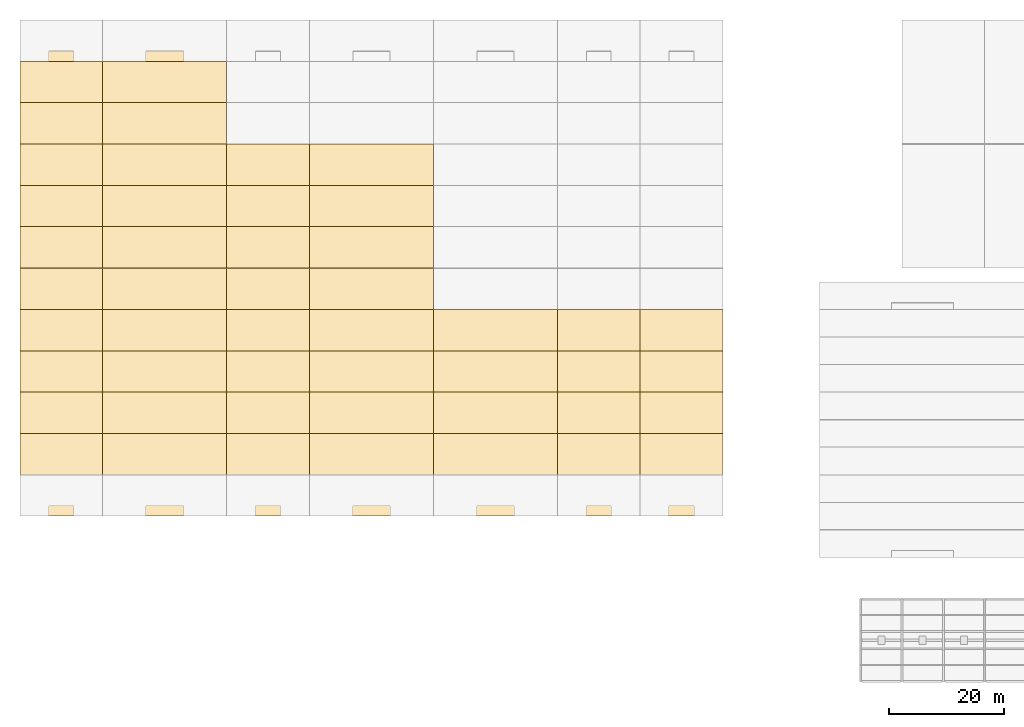
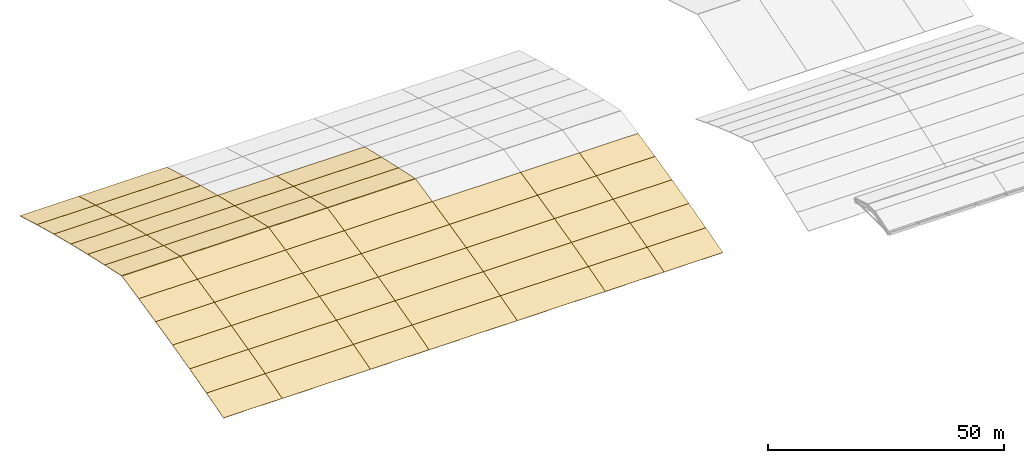
# One storey, part 5 of 7: 57 coverings, 7 elements without a shape of their own.
"""IFC4 building model written with IfcOpenShell, lengths in metres."""

from ifc_helpers import new_model, si_unit, direction, frame, origin, place, context, subcontext, project, spatial, polyline, outline, extrude, material, layer, layer_set, type_object, element, aggregate, save


model = new_model("IFC4")

# Units and contexts
model_context = context("Model", 3, precision=1e-05, world=origin(), true_north=direction((0.0, 1.0)))
body_context = subcontext(model_context, "Body", "Model", "MODEL_VIEW")
ifc_project = project(units=[si_unit("LENGTHUNIT", "METRE"), si_unit("AREAUNIT", "SQUARE_METRE"), si_unit("VOLUMEUNIT", "CUBIC_METRE"), si_unit("PLANEANGLEUNIT", "RADIAN"), si_unit("MASSUNIT", "GRAM", prefix="KILO")], contexts=[model_context])

# Site, building, storey
site_placement = place(None, origin())
site = spatial("IfcSite", under=ifc_project, at=site_placement, CompositionType="ELEMENT")
building_placement = place(site_placement, origin())
building = spatial("IfcBuilding", under=site, at=building_placement, Name="Cendralis Lancet Convention Centre", CompositionType="ELEMENT")
storey_placement = place(building_placement, frame((0.0, 0.0, 29.39990234375)))
storey = spatial("IfcBuildingStorey", under=building, at=storey_placement, Name="RF", CompositionType="ELEMENT", Elevation=29.39990234375)

# Roof, coverings
ifc_material = material(Name="Patinated standing-seam zinc roofing")
ifc_layer_1 = layer(ifc_material, 0.159912109375, Name="Patinated standing-seam zinc roofing")
ifc_layer_set_1 = layer_set([ifc_layer_1], Name="Patinated standing-seam zinc roofing")
roof_type = type_object("IfcRoofType", Name="ARC-RF-BARREL", PredefinedType="BARREL_ROOF", material=ifc_layer_set_1)
roof_1_placement = place(storey_placement, origin())
roof_1 = element("IfcRoof", 1, at=roof_1_placement, inside=storey, type_object=roof_type, Name="V1 Pointed-Arch Vault Roof Assembly #01", PredefinedType="BARREL_ROOF")
ifc_layer_2 = layer(ifc_material, 0.0400390625, Name="Patinated standing-seam zinc roofing")
ifc_layer_set_2 = layer_set([ifc_layer_2], Name="Patinated standing-seam zinc roofing")
covering_type = type_object("IfcCoveringType", Name="ARC-CV-ZINC", PredefinedType="ROOFING", material=ifc_layer_set_2)
covering_1_placement = place(storey_placement, frame((0.0, 50.39990234375, -15.1318359375), z_axis=(0.0, -0.274652229143, 0.961543630329), x_axis=(1.0, 0.0, 0.0)))
covering_1 = element("IfcCovering", 2, at=covering_1_placement, type_object=covering_type, Name="V1 Standing-Seam Zinc Vault Roofing 01-00", PredefinedType="ROOFING", context=body_context, shape_type="SweptSolid", body=[
    extrude(outline(polyline([(0.0, 0.0), (14.39990234375, 0.0), (14.39990234375, 7.488162872063306), (0.0, 7.488162872063306), (0.0, 0.0)])), origin(), (0.0, 0.0, -1.0), 0.0400390625),
])
covering_2_placement = place(storey_placement, frame((0.0, 57.60009765625, -13.076171875), z_axis=(0.0, -0.257623904458, 0.966245271063), x_axis=(1.0, 0.0, 0.0)))
covering_2 = element("IfcCovering", 3, at=covering_2_placement, type_object=covering_type, Name="V1 Standing-Seam Zinc Vault Roofing 01-01", PredefinedType="ROOFING", context=body_context, shape_type="SweptSolid", body=[
    extrude(outline(polyline([(0.0, 0.0), (14.39990234375, 0.0), (14.39990234375, 7.451473644940263), (0.0, 7.451473644940263), (0.0, 0.0)])), origin(), (0.0, 0.0, -1.0), 0.0400390625),
])
covering_3_placement = place(storey_placement, frame((0.0, 64.800048828125, -11.157470703125), z_axis=(0.0, -0.241645185965, 0.970364675831), x_axis=(1.0, 0.0, 0.0)))
covering_3 = element("IfcCovering", 4, at=covering_3_placement, type_object=covering_type, Name="V1 Standing-Seam Zinc Vault Roofing 01-02", PredefinedType="ROOFING", context=body_context, shape_type="SweptSolid", body=[
    extrude(outline(polyline([(0.0, 0.0), (14.39990234375, 0.0), (14.39990234375, 7.419840551916243), (0.0, 7.419840551916243), (0.0, 0.0)])), origin(), (0.0, 0.0, -1.0), 0.0400390625),
])
covering_4_placement = place(storey_placement, frame((0.0, 72.0, -9.364990234375), z_axis=(0.0, -0.228192789739, 0.97361596675), x_axis=(1.0, 0.0, 0.0)))
covering_4 = element("IfcCovering", 5, at=covering_4_placement, type_object=covering_type, Name="V1 Standing-Seam Zinc Vault Roofing 01-03", PredefinedType="ROOFING", context=body_context, shape_type="SweptSolid", body=[
    extrude(outline(polyline([(0.0, 0.0), (14.39990234375, 0.0), (14.39990234375, 7.395062753444637), (0.0, 7.395062753444637), (0.0, 0.0)])), origin(), (0.0, 0.0, -1.0), 0.0400390625),
])
covering_5_placement = place(storey_placement, frame((0.0, 79.199951171875, -7.67822265625), z_axis=(0.0, -0.217354480974, 0.976092736168), x_axis=(1.0, 0.0, 0.0)))
covering_5 = element("IfcCovering", 6, at=covering_5_placement, type_object=covering_type, Name="V1 Standing-Seam Zinc Vault Roofing 01-04", PredefinedType="ROOFING", context=body_context, shape_type="SweptSolid", body=[
    extrude(outline(polyline([(0.0, 0.0), (14.39990234375, 0.0), (14.39990234375, 7.376298280980387), (0.0, 7.376298280980387), (0.0, 0.0)])), origin(), (0.0, 0.0, -1.0), 0.0400390625),
])
covering_6_placement = place(storey_placement, frame((0.0, 86.39990234375, -6.0751953125), z_axis=(0.0, -0.210669519092, 0.977557340377), x_axis=(1.0, 0.0, 0.0)))
covering_6 = element("IfcCovering", 7, at=covering_6_placement, type_object=covering_type, Name="V1 Standing-Seam Zinc Vault Roofing 01-05", PredefinedType="ROOFING", context=body_context, shape_type="SweptSolid", body=[
    extrude(outline(polyline([(0.0, 0.0), (14.39990234375, 0.0), (14.39990234375, 7.309054145604342), (0.0, 7.309054145604342), (0.0, 0.0)])), origin(), (0.0, 0.0, -1.0), 0.0400390625),
])
covering_7_placement = place(storey_placement, frame((0.0, 93.655029296875, -4.535400390625), z_axis=(0.0, 0.210669519092, 0.977557340377), x_axis=(1.0, 0.0, 0.0)))
covering_7 = element("IfcCovering", 8, at=covering_7_placement, type_object=covering_type, Name="V1 Standing-Seam Zinc Vault Roofing 01-06", PredefinedType="ROOFING", context=body_context, shape_type="SweptSolid", body=[
    extrude(outline(polyline([(0.0, 0.0), (14.39990234375, 0.0), (14.39990234375, 7.309054145604342), (0.0, 7.309054145604342), (0.0, 0.0)])), origin(), (0.0, 0.0, -1.0), 0.0400390625),
])
covering_8_placement = place(storey_placement, frame((0.0, 100.800048828125, -6.074951171875), z_axis=(0.0, 0.217354480974, 0.976092736168), x_axis=(1.0, 0.0, 0.0)))
covering_8 = element("IfcCovering", 9, at=covering_8_placement, type_object=covering_type, Name="V1 Standing-Seam Zinc Vault Roofing 01-07", PredefinedType="ROOFING", context=body_context, shape_type="SweptSolid", body=[
    extrude(outline(polyline([(0.0, 0.0), (14.39990234375, 0.0), (14.39990234375, 7.376298280980387), (0.0, 7.376298280980387), (0.0, 0.0)])), origin(), (0.0, 0.0, -1.0), 0.0400390625),
])
covering_9_placement = place(storey_placement, frame((0.0, 108.0, -7.677490234375), z_axis=(0.0, 0.228192789739, 0.97361596675), x_axis=(1.0, 0.0, 0.0)))
covering_9 = element("IfcCovering", 10, at=covering_9_placement, type_object=covering_type, Name="V1 Standing-Seam Zinc Vault Roofing 01-08", PredefinedType="ROOFING", context=body_context, shape_type="SweptSolid", body=[
    extrude(outline(polyline([(0.0, 0.0), (14.39990234375, 0.0), (14.39990234375, 7.395062753444637), (0.0, 7.395062753444637), (0.0, 0.0)])), origin(), (0.0, 0.0, -1.0), 0.0400390625),
])
covering_10_placement = place(storey_placement, frame((0.0, 115.199951171875, -9.364501953125), z_axis=(0.0, 0.241645185965, 0.970364675831), x_axis=(1.0, 0.0, 0.0)))
covering_10 = element("IfcCovering", 11, at=covering_10_placement, type_object=covering_type, Name="V1 Standing-Seam Zinc Vault Roofing 01-09", PredefinedType="ROOFING", context=body_context, shape_type="SweptSolid", body=[
    extrude(outline(polyline([(0.0, 0.0), (14.39990234375, 0.0), (14.39990234375, 7.419840551916243), (0.0, 7.419840551916243), (0.0, 0.0)])), origin(), (0.0, 0.0, -1.0), 0.0400390625),
])
covering_11_placement = place(storey_placement, frame((0.0, 122.39990234375, -11.156494140625), z_axis=(0.0, 0.257615748816, 0.966247445514), x_axis=(1.0, 0.0, 0.0)))
covering_11 = element("IfcCovering", 12, at=covering_11_placement, type_object=covering_type, Name="V1 Standing-Seam Zinc Vault Roofing 01-10", PredefinedType="ROOFING", context=body_context, shape_type="SweptSolid", body=[
    extrude(outline(polyline([(0.0, 0.0), (14.39990234375, 0.0), (14.39990234375, 7.4517095449300825), (0.0, 7.4517095449300825), (0.0, 0.0)])), origin(), (0.0, 0.0, -1.0), 0.0400390625),
])
covering_12_placement = place(storey_placement, frame((0.0, 129.60009765625, -13.0751953125), z_axis=(0.0, 0.274660839675, 0.961541170803), x_axis=(1.0, 0.0, 0.0)))
covering_12 = element("IfcCovering", 13, at=covering_12_placement, type_object=covering_type, Name="V1 Standing-Seam Zinc Vault Roofing 01-11", PredefinedType="ROOFING", context=body_context, shape_type="SweptSolid", body=[
    extrude(outline(polyline([(0.0, 0.0), (14.39990234375, 0.0), (14.39990234375, 7.487928120500662), (0.0, 7.487928120500662), (0.0, 0.0)])), origin(), (0.0, 0.0, -1.0), 0.0400390625),
])
aggregate(roof_1, [covering_1, covering_2, covering_3, covering_4, covering_5, covering_6, covering_7, covering_8, covering_9, covering_10, covering_11, covering_12])

roof_2_placement = place(storey_placement, origin())
roof_2 = element("IfcRoof", 14, at=roof_2_placement, inside=storey, type_object=roof_type, Name="V1 Pointed-Arch Vault Roof Assembly #02", PredefinedType="BARREL_ROOF")
covering_13_placement = place(storey_placement, frame((14.39990234375, 50.39990234375, -15.1318359375), z_axis=(0.0, -0.274652229143, 0.961543630329), x_axis=(1.0, 0.0, 0.0)))
covering_13 = element("IfcCovering", 15, at=covering_13_placement, type_object=covering_type, Name="V1 Standing-Seam Zinc Vault Roofing 02-00", PredefinedType="ROOFING", context=body_context, shape_type="SweptSolid", body=[
    extrude(outline(polyline([(0.0, 0.0), (21.60009765625, 0.0), (21.60009765625, 7.488162872063305), (0.0, 7.488162872063305), (0.0, 0.0)])), origin(), (0.0, 0.0, -1.0), 0.0400390625),
])
covering_14_placement = place(storey_placement, frame((14.39990234375, 57.60009765625, -13.076171875), z_axis=(0.0, -0.257623904458, 0.966245271063), x_axis=(1.0, 0.0, 0.0)))
covering_14 = element("IfcCovering", 16, at=covering_14_placement, type_object=covering_type, Name="V1 Standing-Seam Zinc Vault Roofing 02-01", PredefinedType="ROOFING", context=body_context, shape_type="SweptSolid", body=[
    extrude(outline(polyline([(0.0, 0.0), (21.60009765625, 0.0), (21.60009765625, 7.451473644940264), (0.0, 7.451473644940264), (0.0, 0.0)])), origin(), (0.0, 0.0, -1.0), 0.0400390625),
])
covering_15_placement = place(storey_placement, frame((14.39990234375, 64.800048828125, -11.157470703125), z_axis=(0.0, -0.241645185965, 0.970364675831), x_axis=(1.0, 0.0, 0.0)))
covering_15 = element("IfcCovering", 17, at=covering_15_placement, type_object=covering_type, Name="V1 Standing-Seam Zinc Vault Roofing 02-02", PredefinedType="ROOFING", context=body_context, shape_type="SweptSolid", body=[
    extrude(outline(polyline([(0.0, 0.0), (21.60009765625, 0.0), (21.60009765625, 7.419840551916243), (0.0, 7.419840551916243), (0.0, 0.0)])), origin(), (0.0, 0.0, -1.0), 0.0400390625),
])
covering_16_placement = place(storey_placement, frame((14.39990234375, 72.0, -9.364990234375), z_axis=(0.0, -0.228192789739, 0.97361596675), x_axis=(1.0, 0.0, 0.0)))
covering_16 = element("IfcCovering", 18, at=covering_16_placement, type_object=covering_type, Name="V1 Standing-Seam Zinc Vault Roofing 02-03", PredefinedType="ROOFING", context=body_context, shape_type="SweptSolid", body=[
    extrude(outline(polyline([(0.0, 0.0), (21.60009765625, 0.0), (21.60009765625, 7.395062753444637), (0.0, 7.395062753444637), (0.0, 0.0)])), origin(), (0.0, 0.0, -1.0), 0.0400390625),
])
covering_17_placement = place(storey_placement, frame((14.39990234375, 79.199951171875, -7.67822265625), z_axis=(0.0, -0.217354480974, 0.976092736168), x_axis=(1.0, 0.0, 0.0)))
covering_17 = element("IfcCovering", 19, at=covering_17_placement, type_object=covering_type, Name="V1 Standing-Seam Zinc Vault Roofing 02-04", PredefinedType="ROOFING", context=body_context, shape_type="SweptSolid", body=[
    extrude(outline(polyline([(0.0, 0.0), (21.60009765625, 0.0), (21.60009765625, 7.376298280980386), (0.0, 7.376298280980386), (0.0, 0.0)])), origin(), (0.0, 0.0, -1.0), 0.0400390625),
])
covering_18_placement = place(storey_placement, frame((14.39990234375, 86.39990234375, -6.0751953125), z_axis=(0.0, -0.210669519092, 0.977557340377), x_axis=(1.0, 0.0, 0.0)))
covering_18 = element("IfcCovering", 20, at=covering_18_placement, type_object=covering_type, Name="V1 Standing-Seam Zinc Vault Roofing 02-05", PredefinedType="ROOFING", context=body_context, shape_type="SweptSolid", body=[
    extrude(outline(polyline([(0.0, 0.0), (21.60009765625, 0.0), (21.60009765625, 7.3090541456043425), (0.0, 7.3090541456043425), (0.0, 0.0)])), origin(), (0.0, 0.0, -1.0), 0.0400390625),
])
covering_19_placement = place(storey_placement, frame((14.39990234375, 93.655029296875, -4.535400390625), z_axis=(0.0, 0.210669519092, 0.977557340377), x_axis=(1.0, 0.0, 0.0)))
covering_19 = element("IfcCovering", 21, at=covering_19_placement, type_object=covering_type, Name="V1 Standing-Seam Zinc Vault Roofing 02-06", PredefinedType="ROOFING", context=body_context, shape_type="SweptSolid", body=[
    extrude(outline(polyline([(0.0, 0.0), (21.60009765625, 0.0), (21.60009765625, 7.3090541456043425), (0.0, 7.3090541456043425), (0.0, 0.0)])), origin(), (0.0, 0.0, -1.0), 0.0400390625),
])
covering_20_placement = place(storey_placement, frame((14.39990234375, 100.800048828125, -6.074951171875), z_axis=(0.0, 0.217354480974, 0.976092736168), x_axis=(1.0, 0.0, 0.0)))
covering_20 = element("IfcCovering", 22, at=covering_20_placement, type_object=covering_type, Name="V1 Standing-Seam Zinc Vault Roofing 02-07", PredefinedType="ROOFING", context=body_context, shape_type="SweptSolid", body=[
    extrude(outline(polyline([(0.0, 0.0), (21.60009765625, 0.0), (21.60009765625, 7.376298280980386), (0.0, 7.376298280980386), (0.0, 0.0)])), origin(), (0.0, 0.0, -1.0), 0.0400390625),
])
covering_21_placement = place(storey_placement, frame((14.39990234375, 108.0, -7.677490234375), z_axis=(0.0, 0.228192789739, 0.97361596675), x_axis=(1.0, 0.0, 0.0)))
covering_21 = element("IfcCovering", 23, at=covering_21_placement, type_object=covering_type, Name="V1 Standing-Seam Zinc Vault Roofing 02-08", PredefinedType="ROOFING", context=body_context, shape_type="SweptSolid", body=[
    extrude(outline(polyline([(0.0, 0.0), (21.60009765625, 0.0), (21.60009765625, 7.395062753444637), (0.0, 7.395062753444637), (0.0, 0.0)])), origin(), (0.0, 0.0, -1.0), 0.0400390625),
])
covering_22_placement = place(storey_placement, frame((14.39990234375, 115.199951171875, -9.364501953125), z_axis=(0.0, 0.241645185965, 0.970364675831), x_axis=(1.0, 0.0, 0.0)))
covering_22 = element("IfcCovering", 24, at=covering_22_placement, type_object=covering_type, Name="V1 Standing-Seam Zinc Vault Roofing 02-09", PredefinedType="ROOFING", context=body_context, shape_type="SweptSolid", body=[
    extrude(outline(polyline([(0.0, 0.0), (21.60009765625, 0.0), (21.60009765625, 7.419840551916243), (0.0, 7.419840551916243), (0.0, 0.0)])), origin(), (0.0, 0.0, -1.0), 0.0400390625),
])
covering_23_placement = place(storey_placement, frame((14.39990234375, 122.39990234375, -11.156494140625), z_axis=(0.0, 0.257615748816, 0.966247445514), x_axis=(1.0, 0.0, 0.0)))
covering_23 = element("IfcCovering", 25, at=covering_23_placement, type_object=covering_type, Name="V1 Standing-Seam Zinc Vault Roofing 02-10", PredefinedType="ROOFING", context=body_context, shape_type="SweptSolid", body=[
    extrude(outline(polyline([(0.0, 0.0), (21.60009765625, 0.0), (21.60009765625, 7.4517095449300825), (0.0, 7.4517095449300825), (0.0, 0.0)])), origin(), (0.0, 0.0, -1.0), 0.0400390625),
])
covering_24_placement = place(storey_placement, frame((14.39990234375, 129.60009765625, -13.0751953125), z_axis=(0.0, 0.274660839675, 0.961541170803), x_axis=(1.0, 0.0, 0.0)))
covering_24 = element("IfcCovering", 26, at=covering_24_placement, type_object=covering_type, Name="V1 Standing-Seam Zinc Vault Roofing 02-11", PredefinedType="ROOFING", context=body_context, shape_type="SweptSolid", body=[
    extrude(outline(polyline([(0.0, 0.0), (21.60009765625, 0.0), (21.60009765625, 7.487928120500662), (0.0, 7.487928120500662), (0.0, 0.0)])), origin(), (0.0, 0.0, -1.0), 0.0400390625),
])
aggregate(roof_2, [covering_13, covering_14, covering_15, covering_16, covering_17, covering_18, covering_19, covering_20, covering_21, covering_22, covering_23, covering_24])

roof_3_placement = place(storey_placement, origin())
roof_3 = element("IfcRoof", 27, at=roof_3_placement, inside=storey, type_object=roof_type, Name="V1 Pointed-Arch Vault Roof Assembly #03", PredefinedType="BARREL_ROOF")
covering_25_placement = place(storey_placement, frame((36.0, 50.39990234375, -15.1318359375), z_axis=(0.0, -0.274652229143, 0.961543630329), x_axis=(1.0, 0.0, 0.0)))
covering_25 = element("IfcCovering", 28, at=covering_25_placement, type_object=covering_type, Name="V1 Standing-Seam Zinc Vault Roofing 03-00", PredefinedType="ROOFING", context=body_context, shape_type="SweptSolid", body=[
    extrude(outline(polyline([(0.0, 0.0), (14.39990234375, 0.0), (14.39990234375, 7.488162872063306), (0.0, 7.488162872063306), (0.0, 0.0)])), origin(), (0.0, 0.0, -1.0), 0.0400390625),
])
covering_26_placement = place(storey_placement, frame((36.0, 57.60009765625, -13.076171875), z_axis=(0.0, -0.257623904458, 0.966245271063), x_axis=(1.0, 0.0, 0.0)))
covering_26 = element("IfcCovering", 29, at=covering_26_placement, type_object=covering_type, Name="V1 Standing-Seam Zinc Vault Roofing 03-01", PredefinedType="ROOFING", context=body_context, shape_type="SweptSolid", body=[
    extrude(outline(polyline([(0.0, 0.0), (14.39990234375, 0.0), (14.39990234375, 7.451473644940263), (0.0, 7.451473644940263), (0.0, 0.0)])), origin(), (0.0, 0.0, -1.0), 0.0400390625),
])
covering_27_placement = place(storey_placement, frame((36.0, 64.800048828125, -11.157470703125), z_axis=(0.0, -0.241645185965, 0.970364675831), x_axis=(1.0, 0.0, 0.0)))
covering_27 = element("IfcCovering", 30, at=covering_27_placement, type_object=covering_type, Name="V1 Standing-Seam Zinc Vault Roofing 03-02", PredefinedType="ROOFING", context=body_context, shape_type="SweptSolid", body=[
    extrude(outline(polyline([(0.0, 0.0), (14.39990234375, 0.0), (14.39990234375, 7.419840551916243), (0.0, 7.419840551916243), (0.0, 0.0)])), origin(), (0.0, 0.0, -1.0), 0.0400390625),
])
covering_28_placement = place(storey_placement, frame((36.0, 72.0, -9.364990234375), z_axis=(0.0, -0.228192789739, 0.97361596675), x_axis=(1.0, 0.0, 0.0)))
covering_28 = element("IfcCovering", 31, at=covering_28_placement, type_object=covering_type, Name="V1 Standing-Seam Zinc Vault Roofing 03-03", PredefinedType="ROOFING", context=body_context, shape_type="SweptSolid", body=[
    extrude(outline(polyline([(0.0, 0.0), (14.39990234375, 0.0), (14.39990234375, 7.395062753444637), (0.0, 7.395062753444637), (0.0, 0.0)])), origin(), (0.0, 0.0, -1.0), 0.0400390625),
])
covering_29_placement = place(storey_placement, frame((36.0, 79.199951171875, -7.67822265625), z_axis=(0.0, -0.217354480974, 0.976092736168), x_axis=(1.0, 0.0, 0.0)))
covering_29 = element("IfcCovering", 32, at=covering_29_placement, type_object=covering_type, Name="V1 Standing-Seam Zinc Vault Roofing 03-04", PredefinedType="ROOFING", context=body_context, shape_type="SweptSolid", body=[
    extrude(outline(polyline([(0.0, 0.0), (14.39990234375, 0.0), (14.39990234375, 7.376298280980387), (0.0, 7.376298280980387), (0.0, 0.0)])), origin(), (0.0, 0.0, -1.0), 0.0400390625),
])
covering_30_placement = place(storey_placement, frame((36.0, 86.39990234375, -6.0751953125), z_axis=(0.0, -0.210669519092, 0.977557340377), x_axis=(1.0, 0.0, 0.0)))
covering_30 = element("IfcCovering", 33, at=covering_30_placement, type_object=covering_type, Name="V1 Standing-Seam Zinc Vault Roofing 03-05", PredefinedType="ROOFING", context=body_context, shape_type="SweptSolid", body=[
    extrude(outline(polyline([(0.0, 0.0), (14.39990234375, 0.0), (14.39990234375, 7.309054145604342), (0.0, 7.309054145604342), (0.0, 0.0)])), origin(), (0.0, 0.0, -1.0), 0.0400390625),
])
covering_31_placement = place(storey_placement, frame((36.0, 93.655029296875, -4.535400390625), z_axis=(0.0, 0.210669519092, 0.977557340377), x_axis=(1.0, 0.0, 0.0)))
covering_31 = element("IfcCovering", 34, at=covering_31_placement, type_object=covering_type, Name="V1 Standing-Seam Zinc Vault Roofing 03-06", PredefinedType="ROOFING", context=body_context, shape_type="SweptSolid", body=[
    extrude(outline(polyline([(0.0, 0.0), (14.39990234375, 0.0), (14.39990234375, 7.309054145604342), (0.0, 7.309054145604342), (0.0, 0.0)])), origin(), (0.0, 0.0, -1.0), 0.0400390625),
])
covering_32_placement = place(storey_placement, frame((36.0, 100.800048828125, -6.074951171875), z_axis=(0.0, 0.217354480974, 0.976092736168), x_axis=(1.0, 0.0, 0.0)))
covering_32 = element("IfcCovering", 35, at=covering_32_placement, type_object=covering_type, Name="V1 Standing-Seam Zinc Vault Roofing 03-07", PredefinedType="ROOFING", context=body_context, shape_type="SweptSolid", body=[
    extrude(outline(polyline([(0.0, 0.0), (14.39990234375, 0.0), (14.39990234375, 7.376298280980387), (0.0, 7.376298280980387), (0.0, 0.0)])), origin(), (0.0, 0.0, -1.0), 0.0400390625),
])
covering_33_placement = place(storey_placement, frame((36.0, 108.0, -7.677490234375), z_axis=(0.0, 0.228192789739, 0.97361596675), x_axis=(1.0, 0.0, 0.0)))
covering_33 = element("IfcCovering", 36, at=covering_33_placement, type_object=covering_type, Name="V1 Standing-Seam Zinc Vault Roofing 03-08", PredefinedType="ROOFING", context=body_context, shape_type="SweptSolid", body=[
    extrude(outline(polyline([(0.0, 0.0), (14.39990234375, 0.0), (14.39990234375, 7.395062753444637), (0.0, 7.395062753444637), (0.0, 0.0)])), origin(), (0.0, 0.0, -1.0), 0.0400390625),
])
aggregate(roof_3, [covering_25, covering_26, covering_27, covering_28, covering_29, covering_30, covering_31, covering_32, covering_33])

roof_4_placement = place(storey_placement, origin())
roof_4 = element("IfcRoof", 37, at=roof_4_placement, inside=storey, type_object=roof_type, Name="V1 Pointed-Arch Vault Roof Assembly #04", PredefinedType="BARREL_ROOF")
covering_34_placement = place(storey_placement, frame((50.39990234375, 50.39990234375, -15.1318359375), z_axis=(0.0, -0.274652229143, 0.961543630329), x_axis=(1.0, 0.0, 0.0)))
covering_34 = element("IfcCovering", 38, at=covering_34_placement, type_object=covering_type, Name="V1 Standing-Seam Zinc Vault Roofing 04-00", PredefinedType="ROOFING", context=body_context, shape_type="SweptSolid", body=[
    extrude(outline(polyline([(0.0, 0.0), (21.60009765625, 0.0), (21.60009765625, 7.488162872063305), (0.0, 7.488162872063305), (0.0, 0.0)])), origin(), (0.0, 0.0, -1.0), 0.0400390625),
])
covering_35_placement = place(storey_placement, frame((50.39990234375, 57.60009765625, -13.076171875), z_axis=(0.0, -0.257623904458, 0.966245271063), x_axis=(1.0, 0.0, 0.0)))
covering_35 = element("IfcCovering", 39, at=covering_35_placement, type_object=covering_type, Name="V1 Standing-Seam Zinc Vault Roofing 04-01", PredefinedType="ROOFING", context=body_context, shape_type="SweptSolid", body=[
    extrude(outline(polyline([(0.0, 0.0), (21.60009765625, 0.0), (21.60009765625, 7.451473644940264), (0.0, 7.451473644940264), (0.0, 0.0)])), origin(), (0.0, 0.0, -1.0), 0.0400390625),
])
covering_36_placement = place(storey_placement, frame((50.39990234375, 64.800048828125, -11.157470703125), z_axis=(0.0, -0.241645185965, 0.970364675831), x_axis=(1.0, 0.0, 0.0)))
covering_36 = element("IfcCovering", 40, at=covering_36_placement, type_object=covering_type, Name="V1 Standing-Seam Zinc Vault Roofing 04-02", PredefinedType="ROOFING", context=body_context, shape_type="SweptSolid", body=[
    extrude(outline(polyline([(0.0, 0.0), (21.60009765625, 0.0), (21.60009765625, 7.419840551916243), (0.0, 7.419840551916243), (0.0, 0.0)])), origin(), (0.0, 0.0, -1.0), 0.0400390625),
])
covering_37_placement = place(storey_placement, frame((50.39990234375, 72.0, -9.364990234375), z_axis=(0.0, -0.228192789739, 0.97361596675), x_axis=(1.0, 0.0, 0.0)))
covering_37 = element("IfcCovering", 41, at=covering_37_placement, type_object=covering_type, Name="V1 Standing-Seam Zinc Vault Roofing 04-03", PredefinedType="ROOFING", context=body_context, shape_type="SweptSolid", body=[
    extrude(outline(polyline([(0.0, 0.0), (21.60009765625, 0.0), (21.60009765625, 7.395062753444637), (0.0, 7.395062753444637), (0.0, 0.0)])), origin(), (0.0, 0.0, -1.0), 0.0400390625),
])
covering_38_placement = place(storey_placement, frame((50.39990234375, 79.199951171875, -7.67822265625), z_axis=(0.0, -0.217354480974, 0.976092736168), x_axis=(1.0, 0.0, 0.0)))
covering_38 = element("IfcCovering", 42, at=covering_38_placement, type_object=covering_type, Name="V1 Standing-Seam Zinc Vault Roofing 04-04", PredefinedType="ROOFING", context=body_context, shape_type="SweptSolid", body=[
    extrude(outline(polyline([(0.0, 0.0), (21.60009765625, 0.0), (21.60009765625, 7.376298280980386), (0.0, 7.376298280980386), (0.0, 0.0)])), origin(), (0.0, 0.0, -1.0), 0.0400390625),
])
covering_39_placement = place(storey_placement, frame((50.39990234375, 86.39990234375, -6.0751953125), z_axis=(0.0, -0.210669519092, 0.977557340377), x_axis=(1.0, 0.0, 0.0)))
covering_39 = element("IfcCovering", 43, at=covering_39_placement, type_object=covering_type, Name="V1 Standing-Seam Zinc Vault Roofing 04-05", PredefinedType="ROOFING", context=body_context, shape_type="SweptSolid", body=[
    extrude(outline(polyline([(0.0, 0.0), (21.60009765625, 0.0), (21.60009765625, 7.3090541456043425), (0.0, 7.3090541456043425), (0.0, 0.0)])), origin(), (0.0, 0.0, -1.0), 0.0400390625),
])
covering_40_placement = place(storey_placement, frame((50.39990234375, 93.655029296875, -4.535400390625), z_axis=(0.0, 0.210669519092, 0.977557340377), x_axis=(1.0, 0.0, 0.0)))
covering_40 = element("IfcCovering", 44, at=covering_40_placement, type_object=covering_type, Name="V1 Standing-Seam Zinc Vault Roofing 04-06", PredefinedType="ROOFING", context=body_context, shape_type="SweptSolid", body=[
    extrude(outline(polyline([(0.0, 0.0), (21.60009765625, 0.0), (21.60009765625, 7.3090541456043425), (0.0, 7.3090541456043425), (0.0, 0.0)])), origin(), (0.0, 0.0, -1.0), 0.0400390625),
])
covering_41_placement = place(storey_placement, frame((50.39990234375, 100.800048828125, -6.074951171875), z_axis=(0.0, 0.217354480974, 0.976092736168), x_axis=(1.0, 0.0, 0.0)))
covering_41 = element("IfcCovering", 45, at=covering_41_placement, type_object=covering_type, Name="V1 Standing-Seam Zinc Vault Roofing 04-07", PredefinedType="ROOFING", context=body_context, shape_type="SweptSolid", body=[
    extrude(outline(polyline([(0.0, 0.0), (21.60009765625, 0.0), (21.60009765625, 7.376298280980386), (0.0, 7.376298280980386), (0.0, 0.0)])), origin(), (0.0, 0.0, -1.0), 0.0400390625),
])
covering_42_placement = place(storey_placement, frame((50.39990234375, 108.0, -7.677490234375), z_axis=(0.0, 0.228192789739, 0.97361596675), x_axis=(1.0, 0.0, 0.0)))
covering_42 = element("IfcCovering", 46, at=covering_42_placement, type_object=covering_type, Name="V1 Standing-Seam Zinc Vault Roofing 04-08", PredefinedType="ROOFING", context=body_context, shape_type="SweptSolid", body=[
    extrude(outline(polyline([(0.0, 0.0), (21.60009765625, 0.0), (21.60009765625, 7.395062753444637), (0.0, 7.395062753444637), (0.0, 0.0)])), origin(), (0.0, 0.0, -1.0), 0.0400390625),
])
aggregate(roof_4, [covering_34, covering_35, covering_36, covering_37, covering_38, covering_39, covering_40, covering_41, covering_42])

roof_5_placement = place(storey_placement, origin())
roof_5 = element("IfcRoof", 47, at=roof_5_placement, inside=storey, type_object=roof_type, Name="V1 Pointed-Arch Vault Roof Assembly #05", PredefinedType="BARREL_ROOF")
covering_43_placement = place(storey_placement, frame((72.0, 50.39990234375, -15.1318359375), z_axis=(0.0, -0.274652229143, 0.961543630329), x_axis=(1.0, 0.0, 0.0)))
covering_43 = element("IfcCovering", 48, at=covering_43_placement, type_object=covering_type, Name="V1 Standing-Seam Zinc Vault Roofing 05-00", PredefinedType="ROOFING", context=body_context, shape_type="SweptSolid", body=[
    extrude(outline(polyline([(0.0, 0.0), (21.60009765625, 0.0), (21.60009765625, 7.488162872063305), (0.0, 7.488162872063305), (0.0, 0.0)])), origin(), (0.0, 0.0, -1.0), 0.0400390625),
])
covering_44_placement = place(storey_placement, frame((72.0, 57.60009765625, -13.076171875), z_axis=(0.0, -0.257623904458, 0.966245271063), x_axis=(1.0, 0.0, 0.0)))
covering_44 = element("IfcCovering", 49, at=covering_44_placement, type_object=covering_type, Name="V1 Standing-Seam Zinc Vault Roofing 05-01", PredefinedType="ROOFING", context=body_context, shape_type="SweptSolid", body=[
    extrude(outline(polyline([(0.0, 0.0), (21.60009765625, 0.0), (21.60009765625, 7.451473644940264), (0.0, 7.451473644940264), (0.0, 0.0)])), origin(), (0.0, 0.0, -1.0), 0.0400390625),
])
covering_45_placement = place(storey_placement, frame((72.0, 64.800048828125, -11.157470703125), z_axis=(0.0, -0.241645185965, 0.970364675831), x_axis=(1.0, 0.0, 0.0)))
covering_45 = element("IfcCovering", 50, at=covering_45_placement, type_object=covering_type, Name="V1 Standing-Seam Zinc Vault Roofing 05-02", PredefinedType="ROOFING", context=body_context, shape_type="SweptSolid", body=[
    extrude(outline(polyline([(0.0, 0.0), (21.60009765625, 0.0), (21.60009765625, 7.419840551916243), (0.0, 7.419840551916243), (0.0, 0.0)])), origin(), (0.0, 0.0, -1.0), 0.0400390625),
])
covering_46_placement = place(storey_placement, frame((72.0, 72.0, -9.364990234375), z_axis=(0.0, -0.228192789739, 0.97361596675), x_axis=(1.0, 0.0, 0.0)))
covering_46 = element("IfcCovering", 51, at=covering_46_placement, type_object=covering_type, Name="V1 Standing-Seam Zinc Vault Roofing 05-03", PredefinedType="ROOFING", context=body_context, shape_type="SweptSolid", body=[
    extrude(outline(polyline([(0.0, 0.0), (21.60009765625, 0.0), (21.60009765625, 7.395062753444637), (0.0, 7.395062753444637), (0.0, 0.0)])), origin(), (0.0, 0.0, -1.0), 0.0400390625),
])
covering_47_placement = place(storey_placement, frame((72.0, 79.199951171875, -7.67822265625), z_axis=(0.0, -0.217354480974, 0.976092736168), x_axis=(1.0, 0.0, 0.0)))
covering_47 = element("IfcCovering", 52, at=covering_47_placement, type_object=covering_type, Name="V1 Standing-Seam Zinc Vault Roofing 05-04", PredefinedType="ROOFING", context=body_context, shape_type="SweptSolid", body=[
    extrude(outline(polyline([(0.0, 0.0), (21.60009765625, 0.0), (21.60009765625, 7.376298280980386), (0.0, 7.376298280980386), (0.0, 0.0)])), origin(), (0.0, 0.0, -1.0), 0.0400390625),
])
aggregate(roof_5, [covering_43, covering_44, covering_45, covering_46, covering_47])

roof_6_placement = place(storey_placement, origin())
roof_6 = element("IfcRoof", 53, at=roof_6_placement, inside=storey, type_object=roof_type, Name="V1 Pointed-Arch Vault Roof Assembly #06", PredefinedType="BARREL_ROOF")
covering_48_placement = place(storey_placement, frame((93.60009765625, 50.39990234375, -15.1318359375), z_axis=(0.0, -0.274652229143, 0.961543630329), x_axis=(1.0, 0.0, 0.0)))
covering_48 = element("IfcCovering", 54, at=covering_48_placement, type_object=covering_type, Name="V1 Standing-Seam Zinc Vault Roofing 06-00", PredefinedType="ROOFING", context=body_context, shape_type="SweptSolid", body=[
    extrude(outline(polyline([(0.0, 0.0), (14.39990234375, 0.0), (14.39990234375, 7.488162872063306), (0.0, 7.488162872063306), (0.0, 0.0)])), origin(), (0.0, 0.0, -1.0), 0.0400390625),
])
covering_49_placement = place(storey_placement, frame((93.60009765625, 57.60009765625, -13.076171875), z_axis=(0.0, -0.257623904458, 0.966245271063), x_axis=(1.0, 0.0, 0.0)))
covering_49 = element("IfcCovering", 55, at=covering_49_placement, type_object=covering_type, Name="V1 Standing-Seam Zinc Vault Roofing 06-01", PredefinedType="ROOFING", context=body_context, shape_type="SweptSolid", body=[
    extrude(outline(polyline([(0.0, 0.0), (14.39990234375, 0.0), (14.39990234375, 7.451473644940263), (0.0, 7.451473644940263), (0.0, 0.0)])), origin(), (0.0, 0.0, -1.0), 0.0400390625),
])
covering_50_placement = place(storey_placement, frame((93.60009765625, 64.800048828125, -11.157470703125), z_axis=(0.0, -0.241645185965, 0.970364675831), x_axis=(1.0, 0.0, 0.0)))
covering_50 = element("IfcCovering", 56, at=covering_50_placement, type_object=covering_type, Name="V1 Standing-Seam Zinc Vault Roofing 06-02", PredefinedType="ROOFING", context=body_context, shape_type="SweptSolid", body=[
    extrude(outline(polyline([(0.0, 0.0), (14.39990234375, 0.0), (14.39990234375, 7.419840551916243), (0.0, 7.419840551916243), (0.0, 0.0)])), origin(), (0.0, 0.0, -1.0), 0.0400390625),
])
covering_51_placement = place(storey_placement, frame((93.60009765625, 72.0, -9.364990234375), z_axis=(0.0, -0.228192789739, 0.97361596675), x_axis=(1.0, 0.0, 0.0)))
covering_51 = element("IfcCovering", 57, at=covering_51_placement, type_object=covering_type, Name="V1 Standing-Seam Zinc Vault Roofing 06-03", PredefinedType="ROOFING", context=body_context, shape_type="SweptSolid", body=[
    extrude(outline(polyline([(0.0, 0.0), (14.39990234375, 0.0), (14.39990234375, 7.395062753444637), (0.0, 7.395062753444637), (0.0, 0.0)])), origin(), (0.0, 0.0, -1.0), 0.0400390625),
])
covering_52_placement = place(storey_placement, frame((93.60009765625, 79.199951171875, -7.67822265625), z_axis=(0.0, -0.217354480974, 0.976092736168), x_axis=(1.0, 0.0, 0.0)))
covering_52 = element("IfcCovering", 58, at=covering_52_placement, type_object=covering_type, Name="V1 Standing-Seam Zinc Vault Roofing 06-04", PredefinedType="ROOFING", context=body_context, shape_type="SweptSolid", body=[
    extrude(outline(polyline([(0.0, 0.0), (14.39990234375, 0.0), (14.39990234375, 7.376298280980387), (0.0, 7.376298280980387), (0.0, 0.0)])), origin(), (0.0, 0.0, -1.0), 0.0400390625),
])
aggregate(roof_6, [covering_48, covering_49, covering_50, covering_51, covering_52])

roof_7_placement = place(storey_placement, origin())
roof_7 = element("IfcRoof", 59, at=roof_7_placement, inside=storey, type_object=roof_type, Name="V1 Pointed-Arch Vault Roof Assembly #07", PredefinedType="BARREL_ROOF")
covering_53_placement = place(storey_placement, frame((108.0, 50.39990234375, -15.1318359375), z_axis=(0.0, -0.274652229143, 0.961543630329), x_axis=(1.0, 0.0, 0.0)))
covering_53 = element("IfcCovering", 60, at=covering_53_placement, type_object=covering_type, Name="V1 Standing-Seam Zinc Vault Roofing 07-00", PredefinedType="ROOFING", context=body_context, shape_type="SweptSolid", body=[
    extrude(outline(polyline([(0.0, 0.0), (14.39990234375, 0.0), (14.39990234375, 7.488162872063306), (0.0, 7.488162872063306), (0.0, 0.0)])), origin(), (0.0, 0.0, -1.0), 0.0400390625),
])
covering_54_placement = place(storey_placement, frame((108.0, 57.60009765625, -13.076171875), z_axis=(0.0, -0.257623904458, 0.966245271063), x_axis=(1.0, 0.0, 0.0)))
covering_54 = element("IfcCovering", 61, at=covering_54_placement, type_object=covering_type, Name="V1 Standing-Seam Zinc Vault Roofing 07-01", PredefinedType="ROOFING", context=body_context, shape_type="SweptSolid", body=[
    extrude(outline(polyline([(0.0, 0.0), (14.39990234375, 0.0), (14.39990234375, 7.451473644940263), (0.0, 7.451473644940263), (0.0, 0.0)])), origin(), (0.0, 0.0, -1.0), 0.0400390625),
])
covering_55_placement = place(storey_placement, frame((108.0, 64.800048828125, -11.157470703125), z_axis=(0.0, -0.241645185965, 0.970364675831), x_axis=(1.0, 0.0, 0.0)))
covering_55 = element("IfcCovering", 62, at=covering_55_placement, type_object=covering_type, Name="V1 Standing-Seam Zinc Vault Roofing 07-02", PredefinedType="ROOFING", context=body_context, shape_type="SweptSolid", body=[
    extrude(outline(polyline([(0.0, 0.0), (14.39990234375, 0.0), (14.39990234375, 7.419840551916243), (0.0, 7.419840551916243), (0.0, 0.0)])), origin(), (0.0, 0.0, -1.0), 0.0400390625),
])
covering_56_placement = place(storey_placement, frame((108.0, 72.0, -9.364990234375), z_axis=(0.0, -0.228192789739, 0.97361596675), x_axis=(1.0, 0.0, 0.0)))
covering_56 = element("IfcCovering", 63, at=covering_56_placement, type_object=covering_type, Name="V1 Standing-Seam Zinc Vault Roofing 07-03", PredefinedType="ROOFING", context=body_context, shape_type="SweptSolid", body=[
    extrude(outline(polyline([(0.0, 0.0), (14.39990234375, 0.0), (14.39990234375, 7.395062753444637), (0.0, 7.395062753444637), (0.0, 0.0)])), origin(), (0.0, 0.0, -1.0), 0.0400390625),
])
covering_57_placement = place(storey_placement, frame((108.0, 79.199951171875, -7.67822265625), z_axis=(0.0, -0.217354480974, 0.976092736168), x_axis=(1.0, 0.0, 0.0)))
covering_57 = element("IfcCovering", 64, at=covering_57_placement, type_object=covering_type, Name="V1 Standing-Seam Zinc Vault Roofing 07-04", PredefinedType="ROOFING", context=body_context, shape_type="SweptSolid", body=[
    extrude(outline(polyline([(0.0, 0.0), (14.39990234375, 0.0), (14.39990234375, 7.376298280980387), (0.0, 7.376298280980387), (0.0, 0.0)])), origin(), (0.0, 0.0, -1.0), 0.0400390625),
])
aggregate(roof_7, [covering_53, covering_54, covering_55, covering_56, covering_57])

save(model, "model.ifc")
